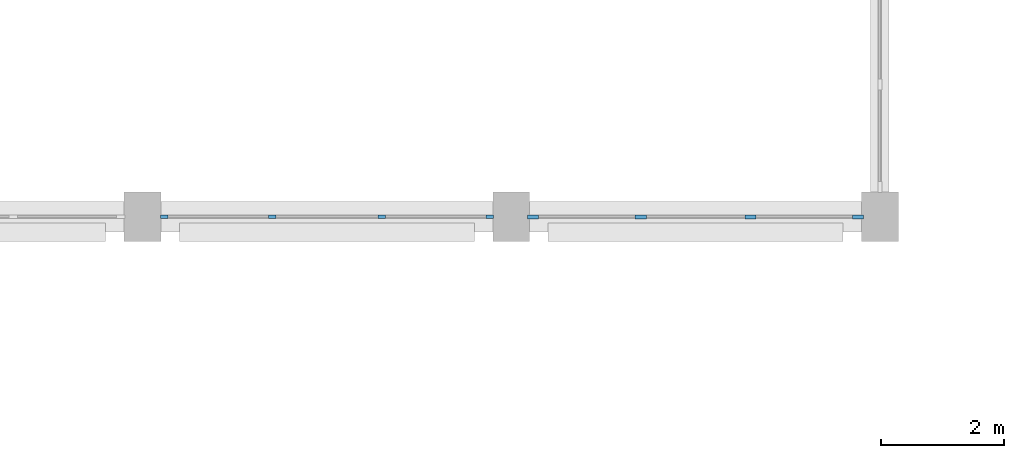
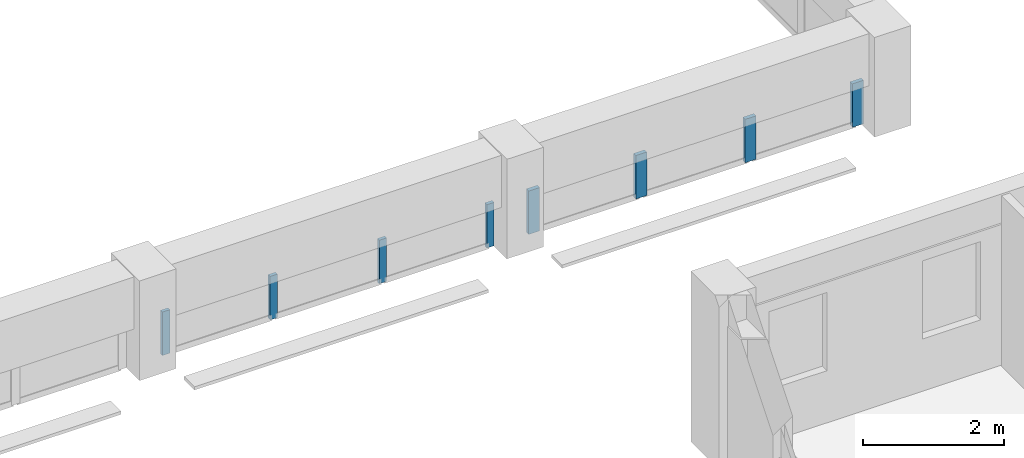
# One storey, part 70 of 137: 8 members, 2 elements without a shape of their own.
"""IFC4 building model written with IfcOpenShell, lengths in metres."""

from ifc_helpers import new_model, si_unit, direction, frame, origin, origin_2d, place, context, subcontext, project, spatial, rectangle, extrude, material, layer, layer_set, material_profile, profile_set, type_object, element, aggregate, save


model = new_model("IFC4")

# Units and contexts
model_context = context("Model", 3, precision=1e-05, world=origin(), true_north=direction((0.0, 1.0)))
body_context = subcontext(model_context, "Body", "Model", "MODEL_VIEW")
ifc_project = project(units=[si_unit("LENGTHUNIT", "METRE"), si_unit("AREAUNIT", "SQUARE_METRE"), si_unit("VOLUMEUNIT", "CUBIC_METRE"), si_unit("PLANEANGLEUNIT", "RADIAN"), si_unit("MASSUNIT", "GRAM", prefix="KILO"), si_unit("POWERUNIT", "WATT"), si_unit("THERMODYNAMICTEMPERATUREUNIT", "KELVIN")], contexts=[model_context])

# Site, building, storey
site_placement = place(None, origin())
site = spatial("IfcSite", under=ifc_project, at=site_placement, CompositionType="ELEMENT")
building_placement = place(site_placement, origin())
building = spatial("IfcBuilding", under=site, at=building_placement, Name="Ruvembo Vaulted Housing Court", CompositionType="ELEMENT")
storey_placement = place(building_placement, frame((0.0, 0.0, 4.5)))
storey = spatial("IfcBuildingStorey", under=building, at=storey_placement, Name="L01", CompositionType="ELEMENT", Elevation=4.5)

# Curtain wall, members
ifc_material_1 = material(Name="Anodised Aluminium and Solar-Control Glass", Category="aluminium")
ifc_layer = layer(ifc_material_1, 0.139892578125, Name="Anodised Aluminium and Solar-Control Glass")
ifc_layer_set = layer_set([ifc_layer], Name="Anodised Aluminium and Solar-Control Glass")
curtain_wall_type = type_object("IfcCurtainWallType", Name="CW-HALL-CLER", PredefinedType="NOTDEFINED", material=ifc_layer_set)
curtain_wall_1_placement = place(storey_placement, origin())
curtain_wall_1 = element("IfcCurtainWall", 1, at=curtain_wall_1_placement, inside=storey, type_object=curtain_wall_type, Name="L01 Curtain Wall CW-L01-0107", PredefinedType="NOTDEFINED")
ifc_material_2 = material(Name="Anodised Aluminium 6063-T6", Category="aluminium")
ifc_material_profile_1 = material_profile(ifc_material_2, rectangle(XDim=0.054931640625, YDim=0.1201171875, at=origin_2d()), Name="ALU 55x120")
ifc_profile_set_1 = profile_set([ifc_material_profile_1], Name="Anodised Aluminium 6063-T6")
member_type_1 = type_object("IfcMemberType", Name="CW-MUL-55x120", PredefinedType="MULLION", material=ifc_profile_set_1)
member_1_placement = place(storey_placement, frame((96.3525390625, 42.0, 0.0), z_axis=(0.0, 0.0, 1.0), x_axis=(0.0, 1.0, 0.0)))
member_1 = element("IfcMember", 2, at=member_1_placement, type_object=member_type_1, Name="CW7 mullion 1", PredefinedType="MULLION", context=body_context, shape_type="SweptSolid", body=[
    extrude(rectangle(XDim=0.054931640625, YDim=0.1201171875, at=origin_2d()), origin(), (0.0, 0.0, 1.0), 0.75),
])
member_2_placement = place(storey_placement, frame((98.1083984375, 42.0, 0.0), z_axis=(0.0, 0.0, 1.0), x_axis=(0.0, 1.0, 0.0)))
member_2 = element("IfcMember", 3, at=member_2_placement, type_object=member_type_1, Name="CW7 mullion 2", PredefinedType="MULLION", context=body_context, shape_type="SweptSolid", body=[
    extrude(rectangle(XDim=0.054931640625, YDim=0.1201171875, at=origin_2d()), origin(), (0.0, 0.0, 1.0), 0.75),
])
member_3_placement = place(storey_placement, frame((99.8916015625, 42.0, 0.0), z_axis=(0.0, 0.0, 1.0), x_axis=(0.0, 1.0, 0.0)))
member_3 = element("IfcMember", 4, at=member_3_placement, type_object=member_type_1, Name="CW7 mullion 3", PredefinedType="MULLION", context=body_context, shape_type="SweptSolid", body=[
    extrude(rectangle(XDim=0.054931640625, YDim=0.1201171875, at=origin_2d()), origin(), (0.0, 0.0, 1.0), 0.75),
])
member_4_placement = place(storey_placement, frame((101.6474609375, 42.0, 0.0), z_axis=(0.0, 0.0, 1.0), x_axis=(0.0, 1.0, 0.0)))
member_4 = element("IfcMember", 5, at=member_4_placement, type_object=member_type_1, Name="CW7 mullion 4", PredefinedType="MULLION", context=body_context, shape_type="SweptSolid", body=[
    extrude(rectangle(XDim=0.054931640625, YDim=0.1201171875, at=origin_2d()), origin(), (0.0, 0.0, 1.0), 0.75),
])
aggregate(curtain_wall_1, [member_1, member_2, member_3, member_4])

curtain_wall_2_placement = place(storey_placement, origin())
curtain_wall_2 = element("IfcCurtainWall", 6, at=curtain_wall_2_placement, inside=storey, type_object=curtain_wall_type, Name="L01 Curtain Wall CW-L01-0110", PredefinedType="NOTDEFINED")
ifc_material_profile_2 = material_profile(ifc_material_2, rectangle(XDim=0.06494140625, YDim=0.179931640625, at=origin_2d()), Name="ALU 65x180")
ifc_profile_set_2 = profile_set([ifc_material_profile_2], Name="Anodised Aluminium 6063-T6")
member_type_2 = type_object("IfcMemberType", Name="CW-MUL-65x180", PredefinedType="MULLION", material=ifc_profile_set_2)
member_5_placement = place(storey_placement, frame((102.357421875, 42.0, 0.0), z_axis=(0.0, 0.0, 1.0), x_axis=(0.0, 1.0, 0.0)))
member_5 = element("IfcMember", 7, at=member_5_placement, type_object=member_type_2, Name="CW7 mullion 1", PredefinedType="MULLION", context=body_context, shape_type="SweptSolid", body=[
    extrude(rectangle(XDim=0.06494140625, YDim=0.179931640625, at=origin_2d()), origin(), (0.0, 0.0, 1.0), 0.75),
])
member_6_placement = place(storey_placement, frame((104.1083984375, 42.0, 0.0), z_axis=(0.0, 0.0, 1.0), x_axis=(0.0, 1.0, 0.0)))
member_6 = element("IfcMember", 8, at=member_6_placement, type_object=member_type_2, Name="CW7 mullion 2", PredefinedType="MULLION", context=body_context, shape_type="SweptSolid", body=[
    extrude(rectangle(XDim=0.06494140625, YDim=0.179931640625, at=origin_2d()), origin(), (0.0, 0.0, 1.0), 0.75),
])
member_7_placement = place(storey_placement, frame((105.8916015625, 42.0, 0.0), z_axis=(0.0, 0.0, 1.0), x_axis=(0.0, 1.0, 0.0)))
member_7 = element("IfcMember", 9, at=member_7_placement, type_object=member_type_2, Name="CW7 mullion 3", PredefinedType="MULLION", context=body_context, shape_type="SweptSolid", body=[
    extrude(rectangle(XDim=0.06494140625, YDim=0.179931640625, at=origin_2d()), origin(), (0.0, 0.0, 1.0), 0.75),
])
member_8_placement = place(storey_placement, frame((107.642578125, 42.0, 0.0), z_axis=(0.0, 0.0, 1.0), x_axis=(0.0, 1.0, 0.0)))
member_8 = element("IfcMember", 10, at=member_8_placement, type_object=member_type_2, Name="CW7 mullion 4", PredefinedType="MULLION", context=body_context, shape_type="SweptSolid", body=[
    extrude(rectangle(XDim=0.06494140625, YDim=0.179931640625, at=origin_2d()), origin(), (0.0, 0.0, 1.0), 0.75),
])
aggregate(curtain_wall_2, [member_5, member_6, member_7, member_8])

save(model, "model.ifc")
